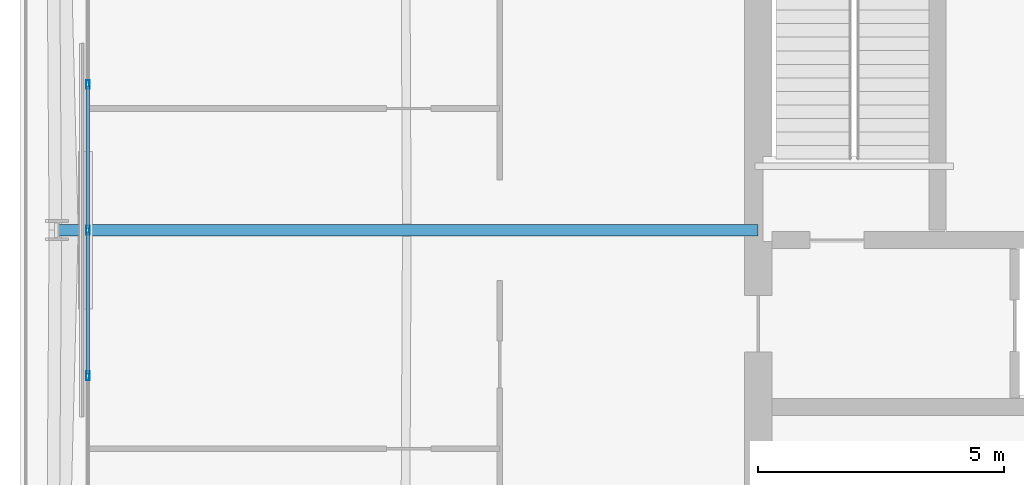
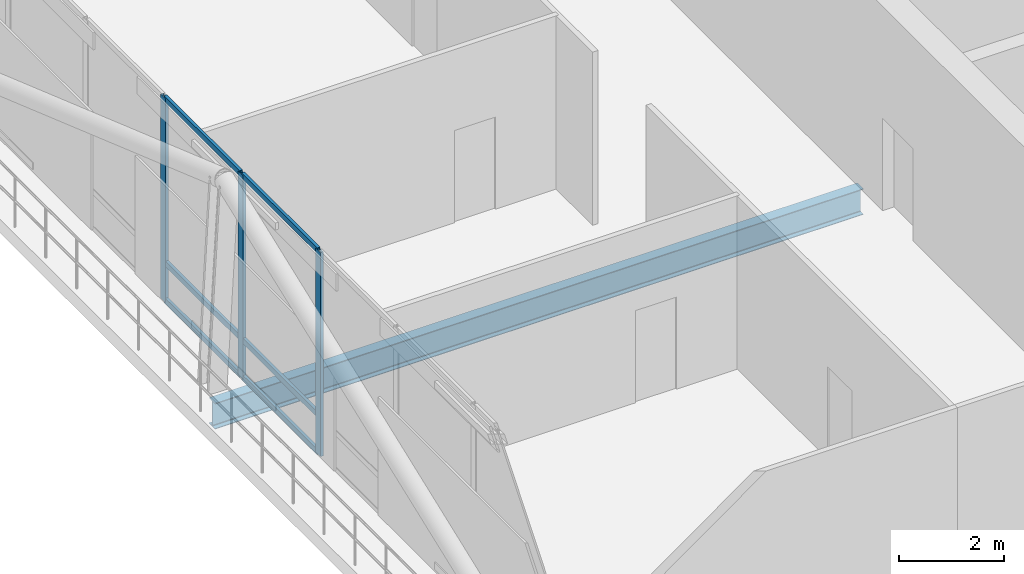
# One storey, part 11 of 34: 9 members, 1 beam, 1 element without a shape of its own.
"""IFC4 building model written with IfcOpenShell, lengths in metres."""

from ifc_helpers import new_model, si_unit, direction, frame, origin, origin_2d, place, context, subcontext, project, spatial, hollow_rectangle, i_section, extrude, material, layer, layer_set, material_profile, profile_set, type_object, element, aggregate, save


model = new_model("IFC4")

# Units and contexts
model_context = context("Model", 3, precision=1e-05, world=origin(), true_north=direction((0.0, 1.0)))
body_context = subcontext(model_context, "Body", "Model", "MODEL_VIEW")
ifc_project = project(units=[si_unit("LENGTHUNIT", "METRE"), si_unit("AREAUNIT", "SQUARE_METRE"), si_unit("VOLUMEUNIT", "CUBIC_METRE"), si_unit("PLANEANGLEUNIT", "RADIAN"), si_unit("MASSUNIT", "GRAM", prefix="KILO")], contexts=[model_context])

# Site, building, storey
site_placement = place(None, origin())
site = spatial("IfcSite", under=ifc_project, at=site_placement, CompositionType="ELEMENT")
building_placement = place(site_placement, origin())
building = spatial("IfcBuilding", under=site, at=building_placement, Name="Caelvoria Tower", CompositionType="ELEMENT")
storey_placement = place(building_placement, frame((0.0, 0.0, 172.0)))
storey = spatial("IfcBuildingStorey", under=building, at=storey_placement, Name="L45", CompositionType="ELEMENT", Elevation=172.0)

# Curtain wall, members
ifc_material_1 = material(Name="Anodised Bronze Aluminium and Low-E Glass", Category="aluminium")
ifc_layer = layer(ifc_material_1, 0.2099609375, Name="Anodised Bronze Aluminium and Low-E Glass")
ifc_layer_set = layer_set([ifc_layer], Name="CW System 3 Sky Lobby Double-Height Acoustic Facade - Anodised Bronze Aluminium and Low-E Glass")
curtain_wall_type = type_object("IfcCurtainWallType", Name="CW System 3 Sky Lobby Double-Height Acoustic Facade", PredefinedType="NOTDEFINED", material=ifc_layer_set)
curtain_wall_placement = place(storey_placement, origin())
curtain_wall = element("IfcCurtainWall", 1, at=curtain_wall_placement, inside=storey, type_object=curtain_wall_type, Name="CW-03 Curtain Wall L45-E6", PredefinedType="NOTDEFINED")
ifc_material_2 = material(Name="Anodised Bronze Architectural Aluminium", Category="aluminium")
ifc_material_profile_1 = material_profile(ifc_material_2, hollow_rectangle(XDim=0.070068359375, YDim=0.179931640625, WallThickness=0.00390625, at=origin_2d()), Name="Anodised Bronze Architectural Aluminium")
ifc_profile_set_1 = profile_set([ifc_material_profile_1], Name="CW_MULL_70X180 - Anodised Bronze Architectural Aluminium")
member_type_1 = type_object("IfcMemberType", Name="Curtain Wall Mullion 70x180 Bronze Aluminium", PredefinedType="MULLION", material=ifc_profile_set_1)
member_1_placement = place(storey_placement, frame((23.360107421875, 34.964111328125, 0.0), z_axis=(0.0, 0.0, 1.0), x_axis=(1.0, 0.0, 0.0)))
member_1 = element("IfcMember", 2, at=member_1_placement, type_object=member_type_1, Name="CW-03 mullion 5", PredefinedType="MULLION", context=body_context, shape_type="SweptSolid", body=[
    extrude(hollow_rectangle(XDim=0.070068359375, YDim=0.179931640625, WallThickness=0.00390625, at=origin_2d()), origin(), (0.0, 0.0, 1.0), 4.760009765625),
])
member_2_placement = place(storey_placement, frame((23.360107421875, 32.0, 0.0), z_axis=(0.0, 0.0, 1.0), x_axis=(1.0, 0.0, 0.0)))
member_2 = element("IfcMember", 3, at=member_2_placement, type_object=member_type_1, Name="CW-03 mullion 6", PredefinedType="MULLION", context=body_context, shape_type="SweptSolid", body=[
    extrude(hollow_rectangle(XDim=0.070068359375, YDim=0.179931640625, WallThickness=0.00390625, at=origin_2d()), origin(), (0.0, 0.0, 1.0), 4.760009765625),
])
member_3_placement = place(storey_placement, frame((23.360107421875, 29.035888671875, 0.0), z_axis=(0.0, 0.0, 1.0), x_axis=(1.0, 0.0, 0.0)))
member_3 = element("IfcMember", 4, at=member_3_placement, type_object=member_type_1, Name="CW-03 mullion 7", PredefinedType="MULLION", context=body_context, shape_type="SweptSolid", body=[
    extrude(hollow_rectangle(XDim=0.070068359375, YDim=0.179931640625, WallThickness=0.00390625, at=origin_2d()), origin(), (0.0, 0.0, 1.0), 4.760009765625),
])
ifc_material_profile_2 = material_profile(ifc_material_2, hollow_rectangle(XDim=0.06494140625, YDim=0.1298828125, WallThickness=0.00341796875, at=origin_2d()), Name="Anodised Bronze Architectural Aluminium")
ifc_profile_set_2 = profile_set([ifc_material_profile_2], Name="CW_TRAN_65X130 - Anodised Bronze Architectural Aluminium")
member_type_2 = type_object("IfcMemberType", Name="Curtain Wall Transom 65x130 Bronze Aluminium", PredefinedType="USERDEFINED", material=ifc_profile_set_2)
member_4_placement = place(storey_placement, frame((23.360107421875, 34.928955078125, 0.032470703125), z_axis=(0.0, -1.0, 0.0), x_axis=(1.0, 0.0, 0.0)))
member_4 = element("IfcMember", 5, at=member_4_placement, type_object=member_type_2, Name="CW-03 transom 5.1", ObjectType="TRANSOM", PredefinedType="USERDEFINED", context=body_context, shape_type="SweptSolid", body=[
    extrude(hollow_rectangle(XDim=0.06494140625, YDim=0.1298828125, WallThickness=0.00341796875, at=origin_2d()), origin(), (0.0, 0.0, 1.0), 2.89404296875),
])
member_5_placement = place(storey_placement, frame((23.360107421875, 34.928955078125, 0.89990234375), z_axis=(0.0, -1.0, 0.0), x_axis=(1.0, 0.0, 0.0)))
member_5 = element("IfcMember", 6, at=member_5_placement, type_object=member_type_2, Name="CW-03 transom 5.2", ObjectType="TRANSOM", PredefinedType="USERDEFINED", context=body_context, shape_type="SweptSolid", body=[
    extrude(hollow_rectangle(XDim=0.06494140625, YDim=0.1298828125, WallThickness=0.00341796875, at=origin_2d()), origin(), (0.0, 0.0, 1.0), 2.89404296875),
])
member_6_placement = place(storey_placement, frame((23.360107421875, 34.928955078125, 4.7275390625), z_axis=(0.0, -1.0, 0.0), x_axis=(1.0, 0.0, 0.0)))
member_6 = element("IfcMember", 7, at=member_6_placement, type_object=member_type_2, Name="CW-03 transom 5.3", ObjectType="TRANSOM", PredefinedType="USERDEFINED", context=body_context, shape_type="SweptSolid", body=[
    extrude(hollow_rectangle(XDim=0.06494140625, YDim=0.1298828125, WallThickness=0.00341796875, at=origin_2d()), origin(), (0.0, 0.0, 1.0), 2.89404296875),
])
member_7_placement = place(storey_placement, frame((23.360107421875, 31.965087890625, 0.032470703125), z_axis=(0.0, -1.0, 0.0), x_axis=(1.0, 0.0, 0.0)))
member_7 = element("IfcMember", 8, at=member_7_placement, type_object=member_type_2, Name="CW-03 transom 6.1", ObjectType="TRANSOM", PredefinedType="USERDEFINED", context=body_context, shape_type="SweptSolid", body=[
    extrude(hollow_rectangle(XDim=0.06494140625, YDim=0.1298828125, WallThickness=0.00341796875, at=origin_2d()), origin(), (0.0, 0.0, 1.0), 2.89404296875),
])
member_8_placement = place(storey_placement, frame((23.360107421875, 31.965087890625, 0.89990234375), z_axis=(0.0, -1.0, 0.0), x_axis=(1.0, 0.0, 0.0)))
member_8 = element("IfcMember", 9, at=member_8_placement, type_object=member_type_2, Name="CW-03 transom 6.2", ObjectType="TRANSOM", PredefinedType="USERDEFINED", context=body_context, shape_type="SweptSolid", body=[
    extrude(hollow_rectangle(XDim=0.06494140625, YDim=0.1298828125, WallThickness=0.00341796875, at=origin_2d()), origin(), (0.0, 0.0, 1.0), 2.89404296875),
])
member_9_placement = place(storey_placement, frame((23.360107421875, 31.965087890625, 4.7275390625), z_axis=(0.0, -1.0, 0.0), x_axis=(1.0, 0.0, 0.0)))
member_9 = element("IfcMember", 10, at=member_9_placement, type_object=member_type_2, Name="CW-03 transom 6.3", ObjectType="TRANSOM", PredefinedType="USERDEFINED", context=body_context, shape_type="SweptSolid", body=[
    extrude(hollow_rectangle(XDim=0.06494140625, YDim=0.1298828125, WallThickness=0.00341796875, at=origin_2d()), origin(), (0.0, 0.0, 1.0), 2.89404296875),
])
aggregate(curtain_wall, [member_1, member_2, member_3, member_4, member_5, member_6, member_7, member_8, member_9])

# Beam
ifc_material_3 = material(Name="Structural Steel ASTM A992 Gr.50", Category="steel")
ifc_material_profile_3 = material_profile(ifc_material_3, i_section(OverallWidth=0.22802734375, OverallDepth=0.60302734375, WebThickness=0.010498046875, FlangeThickness=0.014892578125, FilletRadius=0.01806640625, at=origin_2d()), Name="Structural Steel ASTM A992 Gr.50")
ifc_profile_set_3 = profile_set([ifc_material_profile_3], Name="W610X101 - Structural Steel ASTM A992 Gr.50")
beam_type = type_object("IfcBeamType", Name="Primary Floor Girder W610X101", PredefinedType="BEAM", material=ifc_profile_set_3)
beam_placement = place(storey_placement, frame((37.0, 32.0, -0.62158203125), z_axis=(-1.0, 0.0, 0.0), x_axis=(0.0, -1.0, 0.0)))
element("IfcBeam", 11, at=beam_placement, inside=storey, type_object=beam_type, Name="Primary Floor Girder L45-10", PredefinedType="BEAM", context=body_context, shape_type="SweptSolid", body=[
    extrude(i_section(OverallWidth=0.22802734375, OverallDepth=0.60302734375, WebThickness=0.010498046875, FlangeThickness=0.014892578125, FilletRadius=0.01806640625, at=origin_2d()), origin(), (0.0, 0.0, 1.0), 14.300048828125),
])

save(model, "model.ifc")
